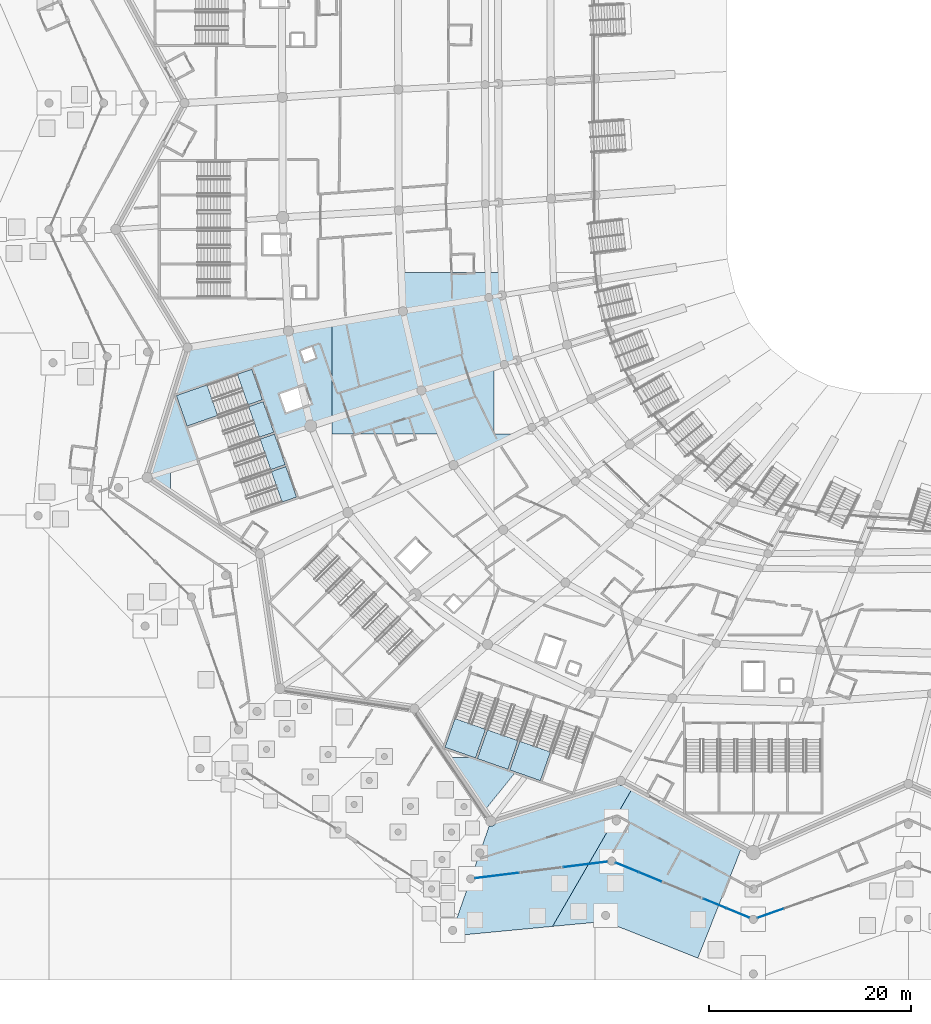
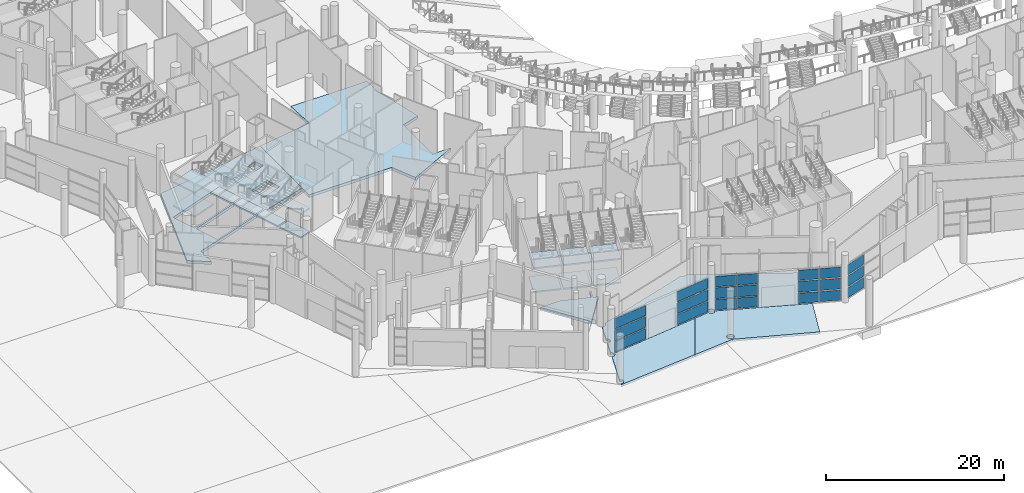
# One storey, part 71 of 255: 23 slabs, 21 plates, 12 elements without a shape of their own.
"""IFC4 building model written with IfcOpenShell, lengths in metres."""

from ifc_helpers import new_model, si_unit, direction, frame, origin, origin_2d, place, context, subcontext, project, spatial, polyline, rectangle, outline, extrude, material, layer, layer_set, type_object, element, aggregate, save


model = new_model("IFC4")

# Units and contexts
model_context = context("Model", 3, precision=1e-05, world=origin(), true_north=direction((0.0, 1.0)))
body_context = subcontext(model_context, "Body", "Model", "MODEL_VIEW")
ifc_project = project(units=[si_unit("LENGTHUNIT", "METRE"), si_unit("AREAUNIT", "SQUARE_METRE"), si_unit("VOLUMEUNIT", "CUBIC_METRE"), si_unit("PLANEANGLEUNIT", "RADIAN"), si_unit("MASSUNIT", "GRAM", prefix="KILO")], contexts=[model_context])

# Site, building, storey
site_placement = place(None, origin())
site = spatial("IfcSite", under=ifc_project, at=site_placement, CompositionType="ELEMENT")
building_placement = place(site_placement, origin())
building = spatial("IfcBuilding", under=site, at=building_placement, Name="Meseta Stadium", CompositionType="ELEMENT")
storey_placement = place(building_placement, origin())
storey = spatial("IfcBuildingStorey", under=building, at=storey_placement, Name="L00", CompositionType="ELEMENT", Elevation=0.0)

# Slabs
ifc_material_1 = material(Name="Concrete C40/50", Category="concrete")
ifc_layer_1 = layer(ifc_material_1, 0.39990234375)
ifc_layer_set_1 = layer_set([ifc_layer_1], Name="Floor slab 400")
slab_type_1 = type_object("IfcSlabType", Name="Floor slab 400", PredefinedType="FLOOR", material=ifc_layer_set_1)
slab_1_placement = place(storey_placement, frame((0.0, 0.0, -0.39990234375)))
element("IfcSlab", 1, at=slab_1_placement, inside=storey, type_object=slab_type_1, Name="Floor slab L00 sector 35 panel 03", PredefinedType="FLOOR", context=body_context, shape_type="SweptSolid", body=[
    extrude(outline(polyline([(-85.63037109375, -64.211181640625), (-80.0, -62.44580078125), (-80.0, -52.975830078125), (-84.33154296875, -53.67333984375), (-84.3251953125, -53.801513671875), (-94.29443359375, -55.44140625), (-98.291015625, -68.297607421875), (-96.0, -69.85205078125), (-96.0, -67.46240234375), (-92.1708984375, -66.26171875), (-85.70458984375, -63.9990234375), (-85.63037109375, -64.211181640625)]), holes=[polyline([(-82.723876953125, -59.195068359375), (-82.09619140625, -60.988525390625), (-84.55029296875, -61.84716796875), (-85.177978515625, -60.0537109375), (-82.723876953125, -59.195068359375)]), polyline([(-94.2841796875, -63.399169921875), (-86.827392578125, -60.789794921875), (-85.7705078125, -63.810302734375), (-93.227294921875, -66.419677734375), (-94.2841796875, -63.399169921875)]), polyline([(-95.406982421875, -60.18994140625), (-87.950439453125, -57.580810546875), (-86.8935546875, -60.601318359375), (-94.35009765625, -63.21044921875), (-95.406982421875, -60.18994140625)]), polyline([(-82.74267578125, -56.870849609375), (-83.138916015625, -55.73828125), (-82.006103515625, -55.341796875), (-81.60986328125, -56.474609375), (-82.74267578125, -56.870849609375)])]), origin(), (0.0, 0.0, 1.0), 0.39990234375),
])
slab_2_placement = place(storey_placement, frame((0.0, 0.0, -0.39990234375)))
element("IfcSlab", 2, at=slab_2_placement, inside=storey, type_object=slab_type_1, Name="Floor slab L00 sector 35 panel 11", PredefinedType="FLOOR", context=body_context, shape_type="SweptSolid", body=[
    extrude(outline(polyline([(-69.297119140625, -64.0), (-67.972412109375, -67.057861328125), (-61.6142578125, -64.0), (-64.0, -64.0), (-64.0, -57.42919921875), (-61.72314453125, -56.715576171875), (-63.21826171875, -50.27294921875), (-63.29638671875, -48.0), (-73.151123046875, -48.0), (-72.9921875, -51.84716796875), (-80.0, -52.975830078125), (-80.0, -64.0), (-69.297119140625, -64.0)])), origin(), (0.0, 0.0, 1.0), 0.39990234375),
])
slab_3_placement = place(storey_placement, frame((0.0, 0.0, -0.39990234375)))
element("IfcSlab", 3, at=slab_3_placement, inside=storey, type_object=slab_type_1, Name="Floor slab L00 sector 35 panel 13", PredefinedType="FLOOR", context=body_context, shape_type="SweptSolid", body=[
    extrude(outline(polyline([(-65.8173828125, -96.0380859375), (-65.9267578125, -96.0), (-68.56640625, -96.0), (-64.973388671875, -101.294921875), (-61.85107421875, -97.426025390625), (-62.419677734375, -97.227294921875), (-61.990234375, -96.0), (-62.201904296875, -96.0), (-62.6083984375, -97.1611328125), (-65.62890625, -96.104248046875), (-65.59228515625, -96.0), (-65.80419921875, -96.0), (-65.8173828125, -96.0380859375)])), origin(), (0.0, 0.0, 1.0), 0.39990234375),
])
ifc_material_2 = material(Name="Concrete C40/50", Category="concrete")
ifc_layer_2 = layer(ifc_material_2, 0.300048828125)
ifc_layer_set_2 = layer_set([ifc_layer_2], Name="Passage paving slab 300")
slab_type_2 = type_object("IfcSlabType", Name="Passage paving slab 300", PredefinedType="FLOOR", material=ifc_layer_set_2)
slab_4_placement = place(storey_placement, frame((0.0, 0.0, -0.300048828125)))
element("IfcSlab", 4, at=slab_4_placement, inside=storey, type_object=slab_type_2, Name="Covered passage paving 6 panel 01", PredefinedType="FLOOR", context=body_context, shape_type="SweptSolid", body=[
    extrude(outline(polyline([(-68.20751953125, -113.465087890625), (-68.273193359375, -113.6533203125), (-58.19482421875, -112.697998046875), (-54.630126953125, -106.531005859375), (-65.89453125, -107.940185546875), (-65.88818359375, -107.989990234375), (-65.90185546875, -108.094482421875), (-65.942138671875, -108.191650390625), (-66.00634765625, -108.275146484375), (-66.08984375, -108.33935546875), (-66.18701171875, -108.379638671875), (-66.29150390625, -108.393310546875), (-66.39599609375, -108.379638671875), (-66.423828125, -108.3681640625), (-67.942626953125, -112.708740234375), (-67.873291015625, -112.737548828125), (-67.789794921875, -112.801513671875), (-67.7255859375, -112.88525390625), (-67.685302734375, -112.982421875), (-67.671630859375, -113.0869140625), (-67.685302734375, -113.19140625), (-67.7255859375, -113.28857421875), (-67.789794921875, -113.372314453125), (-67.873291015625, -113.436279296875), (-67.970703125, -113.4765625), (-68.0751953125, -113.490478515625), (-68.179443359375, -113.4765625), (-68.20751953125, -113.465087890625)])), origin(), (0.0, 0.0, 1.0), 0.300048828125),
])
slab_5_placement = place(storey_placement, frame((0.0, 0.0, -0.300048828125)))
element("IfcSlab", 5, at=slab_5_placement, inside=storey, type_object=slab_type_2, Name="Covered passage paving 6 panel 02", PredefinedType="FLOOR", context=body_context, shape_type="SweptSolid", body=[
    extrude(outline(polyline([(-58.19482421875, -112.697998046875), (-53.009033203125, -112.206298828125), (-43.822509765625, -115.8330078125), (-41.7451171875, -110.59765625), (-51.96728515625, -106.396240234375), (-51.98779296875, -106.44580078125), (-52.052001953125, -106.529296875), (-52.135498046875, -106.593505859375), (-52.23291015625, -106.6337890625), (-52.337158203125, -106.647705078125), (-52.441650390625, -106.6337890625), (-52.538818359375, -106.593505859375), (-52.62255859375, -106.529296875), (-52.6865234375, -106.44580078125), (-52.726806640625, -106.348388671875), (-52.734130859375, -106.293701171875), (-54.630126953125, -106.531005859375), (-58.19482421875, -112.697998046875)]), holes=[polyline([(-53.046142578125, -112.0), (-53.1435546875, -111.959716796875), (-53.22705078125, -111.8955078125), (-53.291259765625, -111.81201171875), (-53.33154296875, -111.714599609375), (-53.34521484375, -111.610107421875), (-53.33154296875, -111.505615234375), (-53.291259765625, -111.408447265625), (-53.22705078125, -111.324951171875), (-53.1435546875, -111.2607421875), (-53.046142578125, -111.220458984375), (-52.94189453125, -111.206787109375), (-52.83740234375, -111.220458984375), (-52.739990234375, -111.2607421875), (-52.656494140625, -111.324951171875), (-52.59228515625, -111.408447265625), (-52.552001953125, -111.505615234375), (-52.538330078125, -111.610107421875), (-52.552001953125, -111.714599609375), (-52.59228515625, -111.81201171875), (-52.656494140625, -111.8955078125), (-52.739990234375, -111.959716796875), (-52.83740234375, -112.0), (-52.94189453125, -112.013671875), (-53.046142578125, -112.0)])]), origin(), (0.0, 0.0, 1.0), 0.300048828125),
])

# Curtain wall, plates
ifc_material_3 = material(Name="Aluminium", Category="aluminium")
ifc_layer_3 = layer(ifc_material_3, 0.199951171875)
ifc_layer_set_3 = layer_set([ifc_layer_3], Name="Ring shopfront curtain wall")
curtain_wall_type = type_object("IfcCurtainWallType", Name="Ring shopfront curtain wall", PredefinedType="NOTDEFINED", material=ifc_layer_set_3)
curtain_wall_1_placement = place(storey_placement, origin())
curtain_wall_1 = element("IfcCurtainWall", 6, at=curtain_wall_1_placement, inside=storey, type_object=curtain_wall_type, Name="Shopfront glazing F42a", PredefinedType="NOTDEFINED")
ifc_material_4 = material(Name="Glass", Category="glass")
ifc_layer_4 = layer(ifc_material_4, 0.035888671875)
ifc_layer_set_4 = layer_set([ifc_layer_4], Name="Ring CW glass panel 36")
plate_type = type_object("IfcPlateType", Name="Ring CW glass panel 36", PredefinedType="CURTAIN_PANEL", material=ifc_layer_set_4)
plate_1_placement = place(storey_placement, frame((-63.696044921875, -107.665283203125, 0.150146484375), z_axis=(0.0, 0.0, 1.0), x_axis=(0.992262941728, 0.124154156083, 0.0)))
plate_1 = element("IfcPlate", 7, at=plate_1_placement, type_object=plate_type, Name="CWR1 panel 1.1", PredefinedType="CURTAIN_PANEL", context=body_context, shape_type="SweptSolid", body=[
    extrude(rectangle(XDim=4.3115234375, YDim=0.035888671875, at=origin_2d()), origin(), (0.0, 0.0, 1.0), 1.3916015625),
])
plate_2_placement = place(storey_placement, frame((-63.696044921875, -107.665283203125, 1.69189453125), z_axis=(0.0, 0.0, 1.0), x_axis=(0.992262941728, 0.124154156083, 0.0)))
plate_2 = element("IfcPlate", 8, at=plate_2_placement, type_object=plate_type, Name="CWR1 panel 1.2", PredefinedType="CURTAIN_PANEL", context=body_context, shape_type="SweptSolid", body=[
    extrude(rectangle(XDim=4.3115234375, YDim=0.035888671875, at=origin_2d()), origin(), (0.0, 0.0, 1.0), 1.466552734375),
])
plate_3_placement = place(storey_placement, frame((-63.696044921875, -107.665283203125, 3.308349609375), z_axis=(0.0, 0.0, 1.0), x_axis=(0.992262941728, 0.124154156083, 0.0)))
plate_3 = element("IfcPlate", 9, at=plate_3_placement, type_object=plate_type, Name="CWR1 panel 1.3", PredefinedType="CURTAIN_PANEL", context=body_context, shape_type="SweptSolid", body=[
    extrude(rectangle(XDim=4.3115234375, YDim=0.035888671875, at=origin_2d()), origin(), (0.0, 0.0, 1.0), 1.3916015625),
])
aggregate(curtain_wall_1, [plate_1, plate_2, plate_3])

curtain_wall_2_placement = place(storey_placement, origin())
curtain_wall_2 = element("IfcCurtainWall", 10, at=curtain_wall_2_placement, inside=storey, type_object=curtain_wall_type, Name="Shopfront glazing F42b", PredefinedType="NOTDEFINED")
plate_4_placement = place(storey_placement, frame((-54.932861328125, -106.56884765625, 0.150146484375), z_axis=(0.0, 0.0, 1.0), x_axis=(0.992265721385, 0.124131938531, 0.0)))
plate_4 = element("IfcPlate", 11, at=plate_4_placement, type_object=plate_type, Name="CWR1 panel 1.1", PredefinedType="CURTAIN_PANEL", context=body_context, shape_type="SweptSolid", body=[
    extrude(rectangle(XDim=4.3115234375, YDim=0.035888671875, at=origin_2d()), origin(), (0.0, 0.0, 1.0), 1.3916015625),
])
plate_5_placement = place(storey_placement, frame((-54.932861328125, -106.56884765625, 1.69189453125), z_axis=(0.0, 0.0, 1.0), x_axis=(0.992265721385, 0.124131938531, 0.0)))
plate_5 = element("IfcPlate", 12, at=plate_5_placement, type_object=plate_type, Name="CWR1 panel 1.2", PredefinedType="CURTAIN_PANEL", context=body_context, shape_type="SweptSolid", body=[
    extrude(rectangle(XDim=4.3115234375, YDim=0.035888671875, at=origin_2d()), origin(), (0.0, 0.0, 1.0), 1.466552734375),
])
plate_6_placement = place(storey_placement, frame((-54.932861328125, -106.56884765625, 3.308349609375), z_axis=(0.0, 0.0, 1.0), x_axis=(0.992265721385, 0.124131938531, 0.0)))
plate_6 = element("IfcPlate", 13, at=plate_6_placement, type_object=plate_type, Name="CWR1 panel 1.3", PredefinedType="CURTAIN_PANEL", context=body_context, shape_type="SweptSolid", body=[
    extrude(rectangle(XDim=4.3115234375, YDim=0.035888671875, at=origin_2d()), origin(), (0.0, 0.0, 1.0), 1.3916015625),
])
aggregate(curtain_wall_2, [plate_4, plate_5, plate_6])

curtain_wall_3_placement = place(storey_placement, origin())
curtain_wall_3 = element("IfcCurtainWall", 14, at=curtain_wall_3_placement, inside=storey, type_object=curtain_wall_type, Name="Shopfront glazing F43a", PredefinedType="NOTDEFINED")
plate_7_placement = place(storey_placement, frame((-50.803955078125, -106.874267578125, 0.150146484375), z_axis=(0.0, 0.0, 1.0), x_axis=(0.924920418175, -0.380160781831, 0.0)))
plate_7 = element("IfcPlate", 15, at=plate_7_placement, type_object=plate_type, Name="CWR1 panel 1.1", PredefinedType="CURTAIN_PANEL", context=body_context, shape_type="SweptSolid", body=[
    extrude(rectangle(XDim=2.39501953125, YDim=0.035888671875, at=origin_2d()), origin(), (0.0, 0.0, 1.0), 1.3916015625),
])
plate_8_placement = place(storey_placement, frame((-50.803955078125, -106.874267578125, 1.69189453125), z_axis=(0.0, 0.0, 1.0), x_axis=(0.924920418175, -0.380160781831, 0.0)))
plate_8 = element("IfcPlate", 16, at=plate_8_placement, type_object=plate_type, Name="CWR1 panel 1.2", PredefinedType="CURTAIN_PANEL", context=body_context, shape_type="SweptSolid", body=[
    extrude(rectangle(XDim=2.39501953125, YDim=0.035888671875, at=origin_2d()), origin(), (0.0, 0.0, 1.0), 1.466552734375),
])
plate_9_placement = place(storey_placement, frame((-50.803955078125, -106.874267578125, 3.308349609375), z_axis=(0.0, 0.0, 1.0), x_axis=(0.924920418175, -0.380160781831, 0.0)))
plate_9 = element("IfcPlate", 17, at=plate_9_placement, type_object=plate_type, Name="CWR1 panel 1.3", PredefinedType="CURTAIN_PANEL", context=body_context, shape_type="SweptSolid", body=[
    extrude(rectangle(XDim=2.39501953125, YDim=0.035888671875, at=origin_2d()), origin(), (0.0, 0.0, 1.0), 1.3916015625),
])
plate_10_placement = place(storey_placement, frame((-48.533203125, -107.8076171875, 0.150146484375), z_axis=(0.0, 0.0, 1.0), x_axis=(0.924920418175, -0.380160781831, 0.0)))
plate_10 = element("IfcPlate", 18, at=plate_10_placement, type_object=plate_type, Name="CWR1 panel 2.1", PredefinedType="CURTAIN_PANEL", context=body_context, shape_type="SweptSolid", body=[
    extrude(rectangle(XDim=2.39501953125, YDim=0.035888671875, at=origin_2d()), origin(), (0.0, 0.0, 1.0), 1.3916015625),
])
plate_11_placement = place(storey_placement, frame((-48.533203125, -107.8076171875, 1.69189453125), z_axis=(0.0, 0.0, 1.0), x_axis=(0.924920418175, -0.380160781831, 0.0)))
plate_11 = element("IfcPlate", 19, at=plate_11_placement, type_object=plate_type, Name="CWR1 panel 2.2", PredefinedType="CURTAIN_PANEL", context=body_context, shape_type="SweptSolid", body=[
    extrude(rectangle(XDim=2.39501953125, YDim=0.035888671875, at=origin_2d()), origin(), (0.0, 0.0, 1.0), 1.466552734375),
])
plate_12_placement = place(storey_placement, frame((-48.533203125, -107.8076171875, 3.308349609375), z_axis=(0.0, 0.0, 1.0), x_axis=(0.924920418175, -0.380160781831, 0.0)))
plate_12 = element("IfcPlate", 20, at=plate_12_placement, type_object=plate_type, Name="CWR1 panel 2.3", PredefinedType="CURTAIN_PANEL", context=body_context, shape_type="SweptSolid", body=[
    extrude(rectangle(XDim=2.39501953125, YDim=0.035888671875, at=origin_2d()), origin(), (0.0, 0.0, 1.0), 1.3916015625),
])
aggregate(curtain_wall_3, [plate_7, plate_8, plate_9, plate_10, plate_11, plate_12])

curtain_wall_4_placement = place(storey_placement, origin())
curtain_wall_4 = element("IfcCurtainWall", 21, at=curtain_wall_4_placement, inside=storey, type_object=curtain_wall_type, Name="Shopfront glazing F43b", PredefinedType="NOTDEFINED")
plate_13_placement = place(storey_placement, frame((-42.13720703125, -110.4365234375, 0.150146484375), z_axis=(0.0, 0.0, 1.0), x_axis=(0.924920418175, -0.380160781831, 0.0)))
plate_13 = element("IfcPlate", 22, at=plate_13_placement, type_object=plate_type, Name="CWR1 panel 1.1", PredefinedType="CURTAIN_PANEL", context=body_context, shape_type="SweptSolid", body=[
    extrude(rectangle(XDim=2.39501953125, YDim=0.035888671875, at=origin_2d()), origin(), (0.0, 0.0, 1.0), 1.3916015625),
])
plate_14_placement = place(storey_placement, frame((-42.13720703125, -110.4365234375, 1.69189453125), z_axis=(0.0, 0.0, 1.0), x_axis=(0.924920418175, -0.380160781831, 0.0)))
plate_14 = element("IfcPlate", 23, at=plate_14_placement, type_object=plate_type, Name="CWR1 panel 1.2", PredefinedType="CURTAIN_PANEL", context=body_context, shape_type="SweptSolid", body=[
    extrude(rectangle(XDim=2.39501953125, YDim=0.035888671875, at=origin_2d()), origin(), (0.0, 0.0, 1.0), 1.466552734375),
])
plate_15_placement = place(storey_placement, frame((-42.13720703125, -110.4365234375, 3.308349609375), z_axis=(0.0, 0.0, 1.0), x_axis=(0.924920418175, -0.380160781831, 0.0)))
plate_15 = element("IfcPlate", 24, at=plate_15_placement, type_object=plate_type, Name="CWR1 panel 1.3", PredefinedType="CURTAIN_PANEL", context=body_context, shape_type="SweptSolid", body=[
    extrude(rectangle(XDim=2.39501953125, YDim=0.035888671875, at=origin_2d()), origin(), (0.0, 0.0, 1.0), 1.3916015625),
])
plate_16_placement = place(storey_placement, frame((-39.866455078125, -111.369873046875, 0.150146484375), z_axis=(0.0, 0.0, 1.0), x_axis=(0.924920418175, -0.380160781831, 0.0)))
plate_16 = element("IfcPlate", 25, at=plate_16_placement, type_object=plate_type, Name="CWR1 panel 2.1", PredefinedType="CURTAIN_PANEL", context=body_context, shape_type="SweptSolid", body=[
    extrude(rectangle(XDim=2.39501953125, YDim=0.035888671875, at=origin_2d()), origin(), (0.0, 0.0, 1.0), 1.3916015625),
])
plate_17_placement = place(storey_placement, frame((-39.866455078125, -111.369873046875, 1.69189453125), z_axis=(0.0, 0.0, 1.0), x_axis=(0.924920418175, -0.380160781831, 0.0)))
plate_17 = element("IfcPlate", 26, at=plate_17_placement, type_object=plate_type, Name="CWR1 panel 2.2", PredefinedType="CURTAIN_PANEL", context=body_context, shape_type="SweptSolid", body=[
    extrude(rectangle(XDim=2.39501953125, YDim=0.035888671875, at=origin_2d()), origin(), (0.0, 0.0, 1.0), 1.466552734375),
])
plate_18_placement = place(storey_placement, frame((-39.866455078125, -111.369873046875, 3.308349609375), z_axis=(0.0, 0.0, 1.0), x_axis=(0.924920418175, -0.380160781831, 0.0)))
plate_18 = element("IfcPlate", 27, at=plate_18_placement, type_object=plate_type, Name="CWR1 panel 2.3", PredefinedType="CURTAIN_PANEL", context=body_context, shape_type="SweptSolid", body=[
    extrude(rectangle(XDim=2.39501953125, YDim=0.035888671875, at=origin_2d()), origin(), (0.0, 0.0, 1.0), 1.3916015625),
])
aggregate(curtain_wall_4, [plate_13, plate_14, plate_15, plate_16, plate_17, plate_18])

curtain_wall_5_placement = place(storey_placement, origin())
curtain_wall_5 = element("IfcCurtainWall", 28, at=curtain_wall_5_placement, inside=storey, type_object=curtain_wall_type, Name="Shopfront glazing F44a", PredefinedType="NOTDEFINED")
plate_19_placement = place(storey_placement, frame((-36.63818359375, -111.403076171875, 0.150146484375), z_axis=(0.0, 0.0, 1.0), x_axis=(0.94321953488, 0.332170000181, 0.0)))
plate_19 = element("IfcPlate", 29, at=plate_19_placement, type_object=plate_type, Name="CWR1 panel 1.1", PredefinedType="CURTAIN_PANEL", context=body_context, shape_type="SweptSolid", body=[
    extrude(rectangle(XDim=2.674072265625, YDim=0.035888671875, at=origin_2d()), origin(), (0.0, 0.0, 1.0), 1.3916015625),
])
plate_20_placement = place(storey_placement, frame((-36.63818359375, -111.403076171875, 1.69189453125), z_axis=(0.0, 0.0, 1.0), x_axis=(0.94321953488, 0.332170000181, 0.0)))
plate_20 = element("IfcPlate", 30, at=plate_20_placement, type_object=plate_type, Name="CWR1 panel 1.2", PredefinedType="CURTAIN_PANEL", context=body_context, shape_type="SweptSolid", body=[
    extrude(rectangle(XDim=2.674072265625, YDim=0.035888671875, at=origin_2d()), origin(), (0.0, 0.0, 1.0), 1.466552734375),
])
plate_21_placement = place(storey_placement, frame((-36.63818359375, -111.403076171875, 3.308349609375), z_axis=(0.0, 0.0, 1.0), x_axis=(0.94321953488, 0.332170000181, 0.0)))
plate_21 = element("IfcPlate", 31, at=plate_21_placement, type_object=plate_type, Name="CWR1 panel 1.3", PredefinedType="CURTAIN_PANEL", context=body_context, shape_type="SweptSolid", body=[
    extrude(rectangle(XDim=2.674072265625, YDim=0.035888671875, at=origin_2d()), origin(), (0.0, 0.0, 1.0), 1.3916015625),
])
aggregate(curtain_wall_5, [plate_19, plate_20, plate_21])

# Slabs
ifc_material_5 = material(Name="Concrete C30/37", Category="concrete")
ifc_layer_5 = layer(ifc_material_5, 0.300048828125)
ifc_layer_set_5 = layer_set([ifc_layer_5], Name="Ring grade slab 300")
slab_type_3 = type_object("IfcSlabType", Name="Ring grade slab 300", PredefinedType="BASESLAB", material=ifc_layer_set_5)
slab_6_placement = place(storey_placement, frame((0.0, 0.0, -0.300048828125)))
element("IfcSlab", 32, at=slab_6_placement, inside=storey, type_object=slab_type_3, Name="Ring ground floor slab 6 panel 01", PredefinedType="BASESLAB", context=body_context, shape_type="SweptSolid", body=[
    extrude(outline(polyline([(-65.90185546875, -107.885498046875), (-65.89453125, -107.940185546875), (-54.630126953125, -106.531005859375), (-52.25732421875, -102.426025390625), (-52.279052734375, -102.373779296875), (-52.292724609375, -102.269287109375), (-52.279052734375, -102.164794921875), (-52.23876953125, -102.0673828125), (-52.174560546875, -101.98388671875), (-52.091064453125, -101.919921875), (-51.993896484375, -101.879638671875), (-51.937255859375, -101.8720703125), (-50.3193359375, -99.0732421875), (-51.138671875, -98.629150390625), (-51.214599609375, -98.6875), (-51.323974609375, -98.73291015625), (-51.44140625, -98.748291015625), (-51.558837890625, -98.73291015625), (-51.66845703125, -98.6875), (-51.762451171875, -98.615478515625), (-51.802001953125, -98.563720703125), (-63.793212890625, -102.29150390625), (-63.810302734375, -102.421630859375), (-63.860595703125, -102.543212890625), (-63.94091796875, -102.647705078125), (-64.04541015625, -102.727783203125), (-64.1669921875, -102.7783203125), (-64.297607421875, -102.79541015625), (-64.427978515625, -102.7783203125), (-64.462890625, -102.763916015625), (-65.26123046875, -105.045654296875), (-65.19189453125, -105.07421875), (-65.1083984375, -105.138427734375), (-65.044189453125, -105.221923828125), (-65.00390625, -105.3193359375), (-64.989990234375, -105.423583984375), (-65.00390625, -105.528076171875), (-65.044189453125, -105.62548828125), (-65.1083984375, -105.708984375), (-65.19189453125, -105.773193359375), (-65.289306640625, -105.8134765625), (-65.3935546875, -105.8271484375), (-65.498046875, -105.8134765625), (-65.52587890625, -105.802001953125), (-66.1591796875, -107.61181640625), (-66.08984375, -107.640380859375), (-66.00634765625, -107.70458984375), (-65.942138671875, -107.7880859375), (-65.90185546875, -107.885498046875)])), origin(), (0.0, 0.0, 1.0), 0.300048828125),
])
slab_7_placement = place(storey_placement, frame((0.0, 0.0, -0.300048828125)))
element("IfcSlab", 33, at=slab_7_placement, inside=storey, type_object=slab_type_3, Name="Ring ground floor slab 6 panel 02", PredefinedType="BASESLAB", context=body_context, shape_type="SweptSolid", body=[
    extrude(outline(polyline([(-51.947509765625, -106.348388671875), (-51.96728515625, -106.396240234375), (-41.7451171875, -110.59765625), (-39.49951171875, -104.9384765625), (-50.3193359375, -99.0732421875), (-51.937255859375, -101.8720703125), (-51.889404296875, -101.86572265625), (-51.784912109375, -101.879638671875), (-51.6875, -101.919921875), (-51.60400390625, -101.98388671875), (-51.539794921875, -102.0673828125), (-51.49951171875, -102.164794921875), (-51.48583984375, -102.269287109375), (-51.49951171875, -102.373779296875), (-51.539794921875, -102.470947265625), (-51.60400390625, -102.554443359375), (-51.6875, -102.61865234375), (-51.784912109375, -102.658935546875), (-51.889404296875, -102.672607421875), (-51.993896484375, -102.658935546875), (-52.091064453125, -102.61865234375), (-52.174560546875, -102.554443359375), (-52.23876953125, -102.470947265625), (-52.25732421875, -102.426025390625), (-54.630126953125, -106.531005859375), (-52.734130859375, -106.293701171875), (-52.740478515625, -106.244140625), (-52.726806640625, -106.1396484375), (-52.6865234375, -106.04248046875), (-52.62255859375, -105.958740234375), (-52.538818359375, -105.894775390625), (-52.441650390625, -105.8544921875), (-52.337158203125, -105.8408203125), (-52.23291015625, -105.8544921875), (-52.135498046875, -105.894775390625), (-52.052001953125, -105.958740234375), (-51.98779296875, -106.04248046875), (-51.947509765625, -106.1396484375), (-51.93359375, -106.244140625), (-51.947509765625, -106.348388671875)])), origin(), (0.0, 0.0, 1.0), 0.300048828125),
])

# Stair, slabs
ifc_material_6 = material(Name="Concrete C40/50", Category="concrete")
stair_type = type_object("IfcStairType", Name="Exit stair 4 flights 148 mm risers", PredefinedType="HALF_TURN_STAIR", material=ifc_material_6)
stair_1_placement = place(storey_placement, origin())
stair_1 = element("IfcStair", 34, at=stair_1_placement, inside=storey, type_object=stair_type, Name="ST77 L00", PredefinedType="HALF_TURN_STAIR")
ifc_material_7 = material(Name="Concrete C40/50", Category="concrete")
ifc_layer_6 = layer(ifc_material_7, 0.199951171875)
ifc_layer_set_6 = layer_set([ifc_layer_6], Name="Stair landing 200")
slab_type_4 = type_object("IfcSlabType", Name="Stair landing 200", PredefinedType="LANDING", material=ifc_layer_set_6)
slab_8_placement = place(storey_placement, frame((0.0, 0.0, 1.425048828125)))
slab_8 = element("IfcSlab", 35, at=slab_8_placement, type_object=slab_type_4, Name="ST77 L00 landing 1", PredefinedType="LANDING", context=body_context, shape_type="SweptSolid", body=[
    extrude(outline(polyline([(-92.377197265625, -59.129638671875), (-95.406982421875, -60.18994140625), (-94.35009765625, -63.21044921875), (-91.3203125, -62.150146484375), (-92.377197265625, -59.129638671875)])), origin(), (0.0, 0.0, 1.0), 0.199951171875),
])
slab_9_placement = place(storey_placement, frame((0.0, 0.0, 3.050048828125)))
slab_9 = element("IfcSlab", 36, at=slab_9_placement, type_object=slab_type_4, Name="ST77 L00 landing 2", PredefinedType="LANDING", context=body_context, shape_type="SweptSolid", body=[
    extrude(outline(polyline([(-87.950439453125, -57.580810546875), (-89.375732421875, -58.079345703125), (-88.31884765625, -61.099853515625), (-86.8935546875, -60.60107421875), (-87.950439453125, -57.580810546875)])), origin(), (0.0, 0.0, 1.0), 0.199951171875),
])
slab_10_placement = place(storey_placement, frame((0.0, 0.0, 4.675048828125)))
slab_10 = element("IfcSlab", 37, at=slab_10_placement, type_object=slab_type_4, Name="ST77 L00 landing 3", PredefinedType="LANDING", context=body_context, shape_type="SweptSolid", body=[
    extrude(outline(polyline([(-92.377197265625, -59.129638671875), (-95.406982421875, -60.18994140625), (-94.35009765625, -63.21044921875), (-91.3203125, -62.150146484375), (-92.377197265625, -59.129638671875)])), origin(), (0.0, 0.0, 1.0), 0.199951171875),
])
slab_11_placement = place(storey_placement, frame((0.0, 0.0, -0.199951171875)))
slab_11 = element("IfcSlab", 38, at=slab_11_placement, type_object=slab_type_4, Name="ST77 L00 landing 4", PredefinedType="LANDING", context=body_context, shape_type="SweptSolid", body=[
    extrude(outline(polyline([(-87.950439453125, -57.580810546875), (-89.375732421875, -58.079345703125), (-88.31884765625, -61.099853515625), (-86.8935546875, -60.60107421875), (-87.950439453125, -57.580810546875)])), origin(), (0.0, 0.0, 1.0), 0.199951171875),
])
aggregate(stair_1, [slab_8, slab_9, slab_10, slab_11])

stair_2_placement = place(storey_placement, origin())
stair_2 = element("IfcStair", 39, at=stair_2_placement, inside=storey, type_object=stair_type, Name="ST78 L00", PredefinedType="HALF_TURN_STAIR")
slab_12_placement = place(storey_placement, frame((0.0, 0.0, 3.050048828125)))
slab_12 = element("IfcSlab", 40, at=slab_12_placement, type_object=slab_type_4, Name="ST78 L00 landing 2", PredefinedType="LANDING", context=body_context, shape_type="SweptSolid", body=[
    extrude(outline(polyline([(-86.827392578125, -60.7900390625), (-88.252685546875, -61.28857421875), (-87.19580078125, -64.30908203125), (-85.7705078125, -63.810302734375), (-86.827392578125, -60.7900390625)])), origin(), (0.0, 0.0, 1.0), 0.199951171875),
])
slab_13_placement = place(storey_placement, frame((0.0, 0.0, -0.199951171875)))
slab_13 = element("IfcSlab", 41, at=slab_13_placement, type_object=slab_type_4, Name="ST78 L00 landing 4", PredefinedType="LANDING", context=body_context, shape_type="SweptSolid", body=[
    extrude(outline(polyline([(-86.827392578125, -60.7900390625), (-88.252685546875, -61.28857421875), (-87.19580078125, -64.30908203125), (-85.7705078125, -63.810302734375), (-86.827392578125, -60.7900390625)])), origin(), (0.0, 0.0, 1.0), 0.199951171875),
])
aggregate(stair_2, [slab_12, slab_13])

stair_3_placement = place(storey_placement, origin())
stair_3 = element("IfcStair", 42, at=stair_3_placement, inside=storey, type_object=stair_type, Name="ST79 L00", PredefinedType="HALF_TURN_STAIR")
slab_14_placement = place(storey_placement, frame((0.0, 0.0, 3.050048828125)))
slab_14 = element("IfcSlab", 43, at=slab_14_placement, type_object=slab_type_4, Name="ST79 L00 landing 2", PredefinedType="LANDING", context=body_context, shape_type="SweptSolid", body=[
    extrude(outline(polyline([(-85.704345703125, -63.9990234375), (-87.129638671875, -64.497802734375), (-86.07275390625, -67.518310546875), (-84.6474609375, -67.01953125), (-85.704345703125, -63.9990234375)])), origin(), (0.0, 0.0, 1.0), 0.199951171875),
])
slab_15_placement = place(storey_placement, frame((0.0, 0.0, -0.199951171875)))
slab_15 = element("IfcSlab", 44, at=slab_15_placement, type_object=slab_type_4, Name="ST79 L00 landing 4", PredefinedType="LANDING", context=body_context, shape_type="SweptSolid", body=[
    extrude(outline(polyline([(-85.704345703125, -63.9990234375), (-87.129638671875, -64.497802734375), (-86.07275390625, -67.518310546875), (-84.6474609375, -67.01953125), (-85.704345703125, -63.9990234375)])), origin(), (0.0, 0.0, 1.0), 0.199951171875),
])
aggregate(stair_3, [slab_14, slab_15])

stair_4_placement = place(storey_placement, origin())
stair_4 = element("IfcStair", 45, at=stair_4_placement, inside=storey, type_object=stair_type, Name="ST80 L00", PredefinedType="HALF_TURN_STAIR")
slab_16_placement = place(storey_placement, frame((0.0, 0.0, 3.050048828125)))
slab_16 = element("IfcSlab", 46, at=slab_16_placement, type_object=slab_type_4, Name="ST80 L00 landing 2", PredefinedType="LANDING", context=body_context, shape_type="SweptSolid", body=[
    extrude(outline(polyline([(-84.58154296875, -67.208251953125), (-86.0068359375, -67.70703125), (-84.949951171875, -70.7275390625), (-83.524658203125, -70.228759765625), (-84.58154296875, -67.208251953125)])), origin(), (0.0, 0.0, 1.0), 0.199951171875),
])
slab_17_placement = place(storey_placement, frame((0.0, 0.0, -0.199951171875)))
slab_17 = element("IfcSlab", 47, at=slab_17_placement, type_object=slab_type_4, Name="ST80 L00 landing 4", PredefinedType="LANDING", context=body_context, shape_type="SweptSolid", body=[
    extrude(outline(polyline([(-84.58154296875, -67.208251953125), (-86.0068359375, -67.70703125), (-84.949951171875, -70.7275390625), (-83.524658203125, -70.228759765625), (-84.58154296875, -67.208251953125)])), origin(), (0.0, 0.0, 1.0), 0.199951171875),
])
aggregate(stair_4, [slab_16, slab_17])

stair_5_placement = place(storey_placement, origin())
stair_5 = element("IfcStair", 48, at=stair_5_placement, inside=storey, type_object=stair_type, Name="ST85 L00", PredefinedType="HALF_TURN_STAIR")
slab_18_placement = place(storey_placement, frame((0.0, 0.0, 1.425048828125)))
slab_18 = element("IfcSlab", 49, at=slab_18_placement, type_object=slab_type_4, Name="ST85 L00 landing 1", PredefinedType="LANDING", context=body_context, shape_type="SweptSolid", body=[
    extrude(outline(polyline([(-67.84375, -92.14013671875), (-68.837890625, -94.981201171875), (-65.817626953125, -96.0380859375), (-64.823486328125, -93.197021484375), (-67.84375, -92.14013671875)])), origin(), (0.0, 0.0, 1.0), 0.199951171875),
])
slab_19_placement = place(storey_placement, frame((0.0, 0.0, 4.675048828125)))
slab_19 = element("IfcSlab", 50, at=slab_19_placement, type_object=slab_type_4, Name="ST85 L00 landing 3", PredefinedType="LANDING", context=body_context, shape_type="SweptSolid", body=[
    extrude(outline(polyline([(-67.84375, -92.14013671875), (-68.837890625, -94.981201171875), (-65.817626953125, -96.0380859375), (-64.823486328125, -93.197021484375), (-67.84375, -92.14013671875)])), origin(), (0.0, 0.0, 1.0), 0.199951171875),
])
aggregate(stair_5, [slab_18, slab_19])

stair_6_placement = place(storey_placement, origin())
stair_6 = element("IfcStair", 51, at=stair_6_placement, inside=storey, type_object=stair_type, Name="ST86 L00", PredefinedType="HALF_TURN_STAIR")
slab_20_placement = place(storey_placement, frame((0.0, 0.0, 1.425048828125)))
slab_20 = element("IfcSlab", 52, at=slab_20_placement, type_object=slab_type_4, Name="ST86 L00 landing 1", PredefinedType="LANDING", context=body_context, shape_type="SweptSolid", body=[
    extrude(outline(polyline([(-64.634521484375, -93.26318359375), (-65.628662109375, -96.104248046875), (-62.6083984375, -97.1611328125), (-61.6142578125, -94.320068359375), (-64.634521484375, -93.26318359375)])), origin(), (0.0, 0.0, 1.0), 0.199951171875),
])
slab_21_placement = place(storey_placement, frame((0.0, 0.0, 4.675048828125)))
slab_21 = element("IfcSlab", 53, at=slab_21_placement, type_object=slab_type_4, Name="ST86 L00 landing 3", PredefinedType="LANDING", context=body_context, shape_type="SweptSolid", body=[
    extrude(outline(polyline([(-64.634521484375, -93.26318359375), (-65.628662109375, -96.104248046875), (-62.6083984375, -97.1611328125), (-61.6142578125, -94.320068359375), (-64.634521484375, -93.26318359375)])), origin(), (0.0, 0.0, 1.0), 0.199951171875),
])
aggregate(stair_6, [slab_20, slab_21])

stair_7_placement = place(storey_placement, origin())
stair_7 = element("IfcStair", 54, at=stair_7_placement, inside=storey, type_object=stair_type, Name="ST87 L00", PredefinedType="HALF_TURN_STAIR")
slab_22_placement = place(storey_placement, frame((0.0, 0.0, 1.425048828125)))
slab_22 = element("IfcSlab", 55, at=slab_22_placement, type_object=slab_type_4, Name="ST87 L00 landing 1", PredefinedType="LANDING", context=body_context, shape_type="SweptSolid", body=[
    extrude(outline(polyline([(-61.425537109375, -94.385986328125), (-62.419677734375, -97.227294921875), (-59.399169921875, -98.2841796875), (-58.405029296875, -95.443115234375), (-61.425537109375, -94.385986328125)])), origin(), (0.0, 0.0, 1.0), 0.199951171875),
])
slab_23_placement = place(storey_placement, frame((0.0, 0.0, 4.675048828125)))
slab_23 = element("IfcSlab", 56, at=slab_23_placement, type_object=slab_type_4, Name="ST87 L00 landing 3", PredefinedType="LANDING", context=body_context, shape_type="SweptSolid", body=[
    extrude(outline(polyline([(-61.425537109375, -94.385986328125), (-62.419677734375, -97.227294921875), (-59.399169921875, -98.2841796875), (-58.405029296875, -95.443115234375), (-61.425537109375, -94.385986328125)])), origin(), (0.0, 0.0, 1.0), 0.199951171875),
])
aggregate(stair_7, [slab_22, slab_23])

save(model, "model.ifc")
